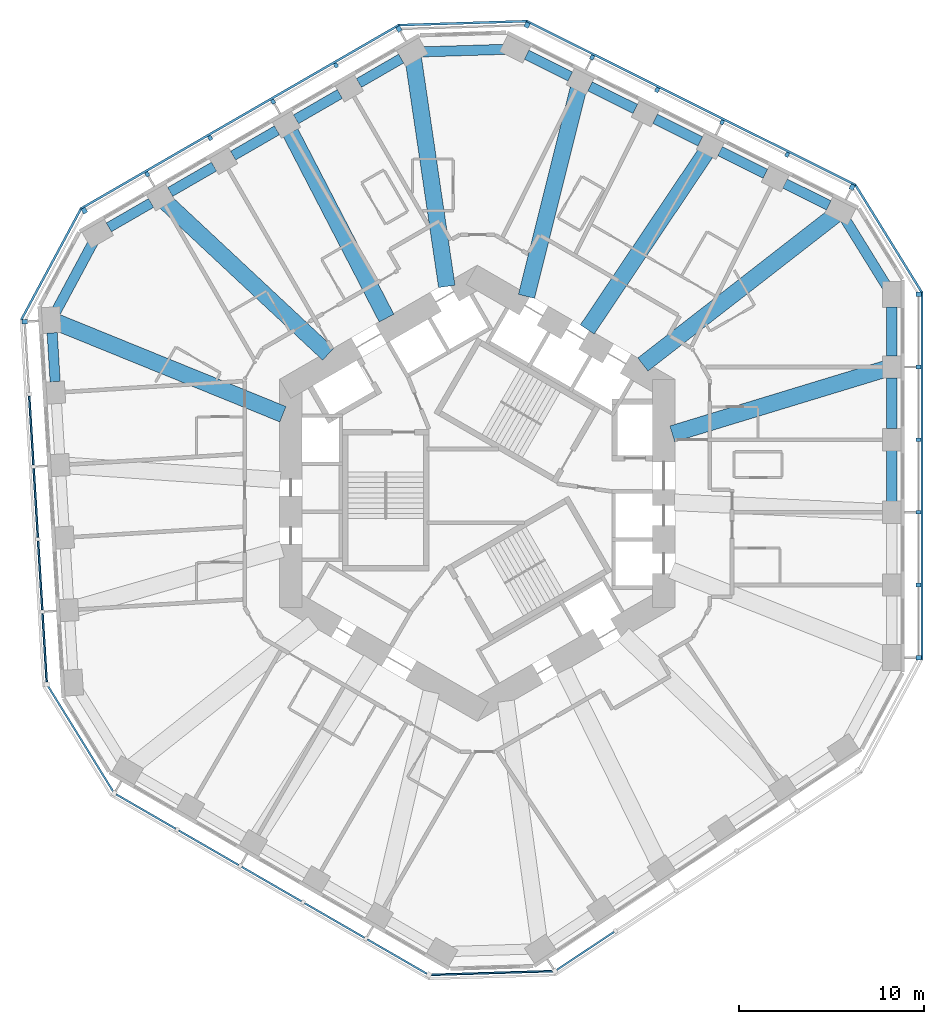
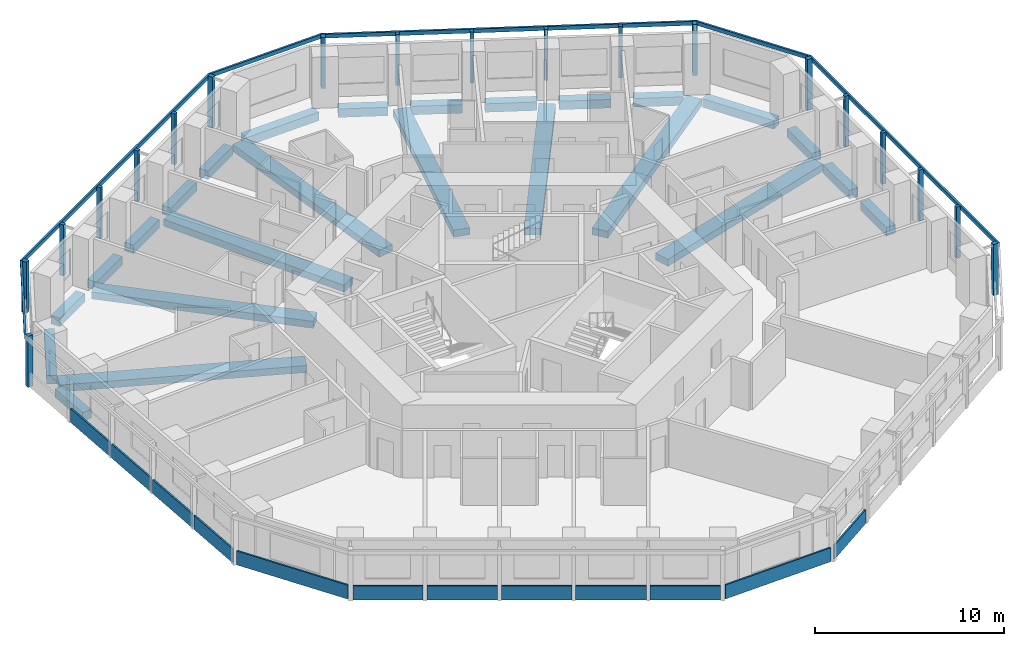
# One storey, part 2 of 12: 25 beams, 25 members, 12 plates, 11 elements without a shape of their own.
"""IFC4 building model written with IfcOpenShell, lengths in metres."""

from ifc_helpers import new_model, si_unit, direction, frame, origin, origin_2d, place, context, subcontext, project, spatial, rectangle, extrude, material, layer, layer_set, material_profile, profile_set, type_object, element, aggregate, save


model = new_model("IFC4")

# Units and contexts
model_context = context("Model", 3, precision=1e-05, world=origin(), true_north=direction((0.0, 1.0)))
body_context = subcontext(model_context, "Body", "Model", "MODEL_VIEW")
ifc_project = project(units=[si_unit("LENGTHUNIT", "METRE"), si_unit("AREAUNIT", "SQUARE_METRE"), si_unit("VOLUMEUNIT", "CUBIC_METRE"), si_unit("PLANEANGLEUNIT", "RADIAN"), si_unit("MASSUNIT", "GRAM", prefix="KILO")], contexts=[model_context])

# Site, building, storey
site_placement = place(None, origin())
site = spatial("IfcSite", under=ifc_project, at=site_placement, CompositionType="ELEMENT")
building_placement = place(site_placement, origin())
building = spatial("IfcBuilding", under=site, at=building_placement, Name="Vanh Sen Convention Tower", CompositionType="ELEMENT")
storey_placement = place(building_placement, frame((0.0, 0.0, 86.89990234375)))
storey = spatial("IfcBuildingStorey", under=building, at=storey_placement, Name="L19", CompositionType="ELEMENT", Elevation=86.89990234375)

# Curtain wall, members
ifc_material_1 = material(Name="Concrete C50/60", Category="concrete")
curtain_wall_type = type_object("IfcCurtainWallType", Name="Outer skin hotel zone", PredefinedType="NOTDEFINED", material=ifc_material_1)
curtain_wall_1_placement = place(storey_placement, origin())
curtain_wall_1 = element("IfcCurtainWall", 1, at=curtain_wall_1_placement, inside=storey, type_object=curtain_wall_type, Name="OUTER SKIN E L19", PredefinedType="NOTDEFINED")
ifc_material_profile_1 = material_profile(ifc_material_1, rectangle(XDim=0.25, YDim=0.300048828125, at=origin_2d()), Name="Outer skin precast corner fin 250 x 300")
ifc_profile_set_1 = profile_set([ifc_material_profile_1], Name="Concrete C50/60")
member_type_1 = type_object("IfcMemberType", Name="Outer skin precast corner fin 250 x 300", PredefinedType="MULLION", material=ifc_profile_set_1)
member_1_placement = place(storey_placement, frame((23.89990234375, -8.899169921875, 0.0), z_axis=(0.0, 0.0, 1.0), x_axis=(0.0, 1.0, 0.0)))
member_1 = element("IfcMember", 2, at=member_1_placement, type_object=member_type_1, Name="OUTER SKIN CORNER FIN 1 E L19", PredefinedType="MULLION", context=body_context, shape_type="SweptSolid", body=[
    extrude(rectangle(XDim=0.25, YDim=0.300048828125, at=origin_2d()), origin(), (0.0, 0.0, 1.0), 3.300048828125),
])
member_2_placement = place(storey_placement, frame((23.89990234375, 10.773681640625, 0.0), z_axis=(0.0, 0.0, 1.0), x_axis=(0.0, 1.0, 0.0)))
member_2 = element("IfcMember", 3, at=member_2_placement, type_object=member_type_1, Name="OUTER SKIN CORNER FIN 6 E L19", PredefinedType="MULLION", context=body_context, shape_type="SweptSolid", body=[
    extrude(rectangle(XDim=0.25, YDim=0.300048828125, at=origin_2d()), origin(), (0.0, 0.0, 1.0), 3.300048828125),
])

curtain_wall_2_placement = place(storey_placement, origin())
curtain_wall_2 = element("IfcCurtainWall", 4, at=curtain_wall_2_placement, inside=storey, type_object=curtain_wall_type, Name="OUTER SKIN NE L19", PredefinedType="NOTDEFINED")
member_3_placement = place(storey_placement, frame((20.305908203125, 16.581787109375, 0.0), z_axis=(0.0, 0.0, 1.0), x_axis=(-0.894934361602, 0.44619781311, 0.0)))
member_3 = element("IfcMember", 5, at=member_3_placement, type_object=member_type_1, Name="OUTER SKIN CORNER FIN 1 NE L19", PredefinedType="MULLION", context=body_context, shape_type="SweptSolid", body=[
    extrude(rectangle(XDim=0.25, YDim=0.300048828125, at=origin_2d()), origin(), (0.0, 0.0, 1.0), 3.300048828125),
])
member_4_placement = place(storey_placement, frame((2.699951171875, 25.35986328125, 0.0), z_axis=(0.0, 0.0, 1.0), x_axis=(-0.894934361602, 0.44619781311, 0.0)))
member_4 = element("IfcMember", 6, at=member_4_placement, type_object=member_type_1, Name="OUTER SKIN CORNER FIN 6 NE L19", PredefinedType="MULLION", context=body_context, shape_type="SweptSolid", body=[
    extrude(rectangle(XDim=0.25, YDim=0.300048828125, at=origin_2d()), origin(), (0.0, 0.0, 1.0), 3.300048828125),
])

curtain_wall_3_placement = place(storey_placement, origin())
curtain_wall_3 = element("IfcCurtainWall", 7, at=curtain_wall_3_placement, inside=storey, type_object=curtain_wall_type, Name="OUTER SKIN NW L19", PredefinedType="NOTDEFINED")
member_5_placement = place(storey_placement, frame((-4.242919921875, 25.147705078125, 0.0), z_axis=(0.0, 0.0, 1.0), x_axis=(-0.866025403784, -0.5, 0.0)))
member_5 = element("IfcMember", 8, at=member_5_placement, type_object=member_type_1, Name="OUTER SKIN CORNER FIN 1 NW L19", PredefinedType="MULLION", context=body_context, shape_type="SweptSolid", body=[
    extrude(rectangle(XDim=0.25, YDim=0.300048828125, at=origin_2d()), origin(), (0.0, 0.0, 1.0), 3.300048828125),
])
member_6_placement = place(storey_placement, frame((-21.2802734375, 15.31103515625, 0.0), z_axis=(0.0, 0.0, 1.0), x_axis=(-0.866025403784, -0.5, 0.0)))
member_6 = element("IfcMember", 9, at=member_6_placement, type_object=member_type_1, Name="OUTER SKIN CORNER FIN 6 NW L19", PredefinedType="MULLION", context=body_context, shape_type="SweptSolid", body=[
    extrude(rectangle(XDim=0.25, YDim=0.300048828125, at=origin_2d()), origin(), (0.0, 0.0, 1.0), 3.300048828125),
])

# Curtain wall, member
curtain_wall_4_placement = place(storey_placement, origin())
curtain_wall_4 = element("IfcCurtainWall", 10, at=curtain_wall_4_placement, inside=storey, type_object=curtain_wall_type, Name="OUTER SKIN W L19", PredefinedType="NOTDEFINED")
member_7_placement = place(storey_placement, frame((-24.51318359375, 9.294677734375, 0.0), z_axis=(0.0, 0.0, 1.0), x_axis=(0.061048539535, -0.998134798422, 0.0)))
member_7 = element("IfcMember", 11, at=member_7_placement, type_object=member_type_1, Name="OUTER SKIN CORNER FIN 1 W L19", PredefinedType="MULLION", context=body_context, shape_type="SweptSolid", body=[
    extrude(rectangle(XDim=0.25, YDim=0.300048828125, at=origin_2d()), origin(), (0.0, 0.0, 1.0), 3.300048828125),
])

# Member
ifc_material_profile_2 = material_profile(ifc_material_1, rectangle(XDim=0.199951171875, YDim=0.25, at=origin_2d()), Name="Outer skin precast fin 200 x 250")
ifc_profile_set_2 = profile_set([ifc_material_profile_2], Name="Concrete C50/60")
member_type_2 = type_object("IfcMemberType", Name="Outer skin precast fin 200 x 250", PredefinedType="MULLION", material=ifc_profile_set_2)
member_8_placement = place(storey_placement, frame((23.89990234375, -4.964599609375, 0.0), z_axis=(0.0, 0.0, 1.0), x_axis=(0.0, 1.0, 0.0)))
member_8 = element("IfcMember", 12, at=member_8_placement, type_object=member_type_2, Name="OUTER SKIN fin 2 E L19", PredefinedType="MULLION", context=body_context, shape_type="SweptSolid", body=[
    extrude(rectangle(XDim=0.199951171875, YDim=0.25, at=origin_2d()), origin(), (0.0, 0.0, 1.0), 3.300048828125),
])

member_9_placement = place(storey_placement, frame((23.89990234375, -1.030029296875, 0.0), z_axis=(0.0, 0.0, 1.0), x_axis=(0.0, 1.0, 0.0)))
member_9 = element("IfcMember", 13, at=member_9_placement, type_object=member_type_2, Name="OUTER SKIN fin 3 E L19", PredefinedType="MULLION", context=body_context, shape_type="SweptSolid", body=[
    extrude(rectangle(XDim=0.199951171875, YDim=0.25, at=origin_2d()), origin(), (0.0, 0.0, 1.0), 3.300048828125),
])

member_10_placement = place(storey_placement, frame((23.89990234375, 2.904541015625, 0.0), z_axis=(0.0, 0.0, 1.0), x_axis=(0.0, 1.0, 0.0)))
member_10 = element("IfcMember", 14, at=member_10_placement, type_object=member_type_2, Name="OUTER SKIN fin 4 E L19", PredefinedType="MULLION", context=body_context, shape_type="SweptSolid", body=[
    extrude(rectangle(XDim=0.199951171875, YDim=0.25, at=origin_2d()), origin(), (0.0, 0.0, 1.0), 3.300048828125),
])

member_11_placement = place(storey_placement, frame((23.89990234375, 6.839111328125, 0.0), z_axis=(0.0, 0.0, 1.0), x_axis=(0.0, 1.0, 0.0)))
member_11 = element("IfcMember", 15, at=member_11_placement, type_object=member_type_2, Name="OUTER SKIN fin 5 E L19", PredefinedType="MULLION", context=body_context, shape_type="SweptSolid", body=[
    extrude(rectangle(XDim=0.199951171875, YDim=0.25, at=origin_2d()), origin(), (0.0, 0.0, 1.0), 3.300048828125),
])

member_12_placement = place(storey_placement, frame((16.78466796875, 18.33740234375, 0.0), z_axis=(0.0, 0.0, 1.0), x_axis=(-0.894934361602, 0.44619781311, 0.0)))
member_12 = element("IfcMember", 16, at=member_12_placement, type_object=member_type_2, Name="OUTER SKIN fin 2 NE L19", PredefinedType="MULLION", context=body_context, shape_type="SweptSolid", body=[
    extrude(rectangle(XDim=0.199951171875, YDim=0.25, at=origin_2d()), origin(), (0.0, 0.0, 1.0), 3.300048828125),
])

member_13_placement = place(storey_placement, frame((13.263427734375, 20.093017578125, 0.0), z_axis=(0.0, 0.0, 1.0), x_axis=(-0.894934361602, 0.44619781311, 0.0)))
member_13 = element("IfcMember", 17, at=member_13_placement, type_object=member_type_2, Name="OUTER SKIN fin 3 NE L19", PredefinedType="MULLION", context=body_context, shape_type="SweptSolid", body=[
    extrude(rectangle(XDim=0.199951171875, YDim=0.25, at=origin_2d()), origin(), (0.0, 0.0, 1.0), 3.300048828125),
])

member_14_placement = place(storey_placement, frame((9.7421875, 21.8486328125, 0.0), z_axis=(0.0, 0.0, 1.0), x_axis=(-0.894934361602, 0.44619781311, 0.0)))
member_14 = element("IfcMember", 18, at=member_14_placement, type_object=member_type_2, Name="OUTER SKIN fin 4 NE L19", PredefinedType="MULLION", context=body_context, shape_type="SweptSolid", body=[
    extrude(rectangle(XDim=0.199951171875, YDim=0.25, at=origin_2d()), origin(), (0.0, 0.0, 1.0), 3.300048828125),
])

member_15_placement = place(storey_placement, frame((6.22119140625, 23.604248046875, 0.0), z_axis=(0.0, 0.0, 1.0), x_axis=(-0.894934361602, 0.44619781311, 0.0)))
member_15 = element("IfcMember", 19, at=member_15_placement, type_object=member_type_2, Name="OUTER SKIN fin 5 NE L19", PredefinedType="MULLION", context=body_context, shape_type="SweptSolid", body=[
    extrude(rectangle(XDim=0.199951171875, YDim=0.25, at=origin_2d()), origin(), (0.0, 0.0, 1.0), 3.300048828125),
])

member_16_placement = place(storey_placement, frame((-7.650390625, 23.180419921875, 0.0), z_axis=(0.0, 0.0, 1.0), x_axis=(-0.866025403784, -0.5, 0.0)))
member_16 = element("IfcMember", 20, at=member_16_placement, type_object=member_type_2, Name="OUTER SKIN fin 2 NW L19", PredefinedType="MULLION", context=body_context, shape_type="SweptSolid", body=[
    extrude(rectangle(XDim=0.199951171875, YDim=0.25, at=origin_2d()), origin(), (0.0, 0.0, 1.0), 3.300048828125),
])

member_17_placement = place(storey_placement, frame((-11.057861328125, 21.212890625, 0.0), z_axis=(0.0, 0.0, 1.0), x_axis=(-0.866025403784, -0.5, 0.0)))
member_17 = element("IfcMember", 21, at=member_17_placement, type_object=member_type_2, Name="OUTER SKIN fin 3 NW L19", PredefinedType="MULLION", context=body_context, shape_type="SweptSolid", body=[
    extrude(rectangle(XDim=0.199951171875, YDim=0.25, at=origin_2d()), origin(), (0.0, 0.0, 1.0), 3.300048828125),
])

member_18_placement = place(storey_placement, frame((-14.46533203125, 19.24560546875, 0.0), z_axis=(0.0, 0.0, 1.0), x_axis=(-0.866025403784, -0.5, 0.0)))
member_18 = element("IfcMember", 22, at=member_18_placement, type_object=member_type_2, Name="OUTER SKIN fin 4 NW L19", PredefinedType="MULLION", context=body_context, shape_type="SweptSolid", body=[
    extrude(rectangle(XDim=0.199951171875, YDim=0.25, at=origin_2d()), origin(), (0.0, 0.0, 1.0), 3.300048828125),
])

member_19_placement = place(storey_placement, frame((-17.872802734375, 17.2783203125, 0.0), z_axis=(0.0, 0.0, 1.0), x_axis=(-0.866025403784, -0.5, 0.0)))
member_19 = element("IfcMember", 23, at=member_19_placement, type_object=member_type_2, Name="OUTER SKIN fin 5 NW L19", PredefinedType="MULLION", context=body_context, shape_type="SweptSolid", body=[
    extrude(rectangle(XDim=0.199951171875, YDim=0.25, at=origin_2d()), origin(), (0.0, 0.0, 1.0), 3.300048828125),
])

ifc_material_profile_3 = material_profile(ifc_material_1, rectangle(XDim=0.1201171875, YDim=0.25, at=origin_2d()), Name="Outer skin precast spandrel band 250 x 120")
ifc_profile_set_3 = profile_set([ifc_material_profile_3], Name="Concrete C50/60")
member_type_3 = type_object("IfcMemberType", Name="Outer skin precast spandrel band 250 x 120", PredefinedType="USERDEFINED", material=ifc_profile_set_3)
member_20_placement = place(storey_placement, frame((24.0849609375, -9.024169921875, 3.175048828125), z_axis=(0.0, 1.0, 0.0), x_axis=(-1.0, 0.0, 0.0)))
member_20 = element("IfcMember", 24, at=member_20_placement, type_object=member_type_3, Name="OUTER SKIN spandrel band E L19", ObjectType="TRANSOM", PredefinedType="USERDEFINED", context=body_context, shape_type="SweptSolid", body=[
    extrude(rectangle(XDim=0.1201171875, YDim=0.25, at=origin_2d()), origin(), (0.0, 0.0, 1.0), 19.9228515625),
])

aggregate(curtain_wall_1, [member_1, member_8, member_9, member_10, member_11, member_2, member_20])

# Curtain wall, member
curtain_wall_5_placement = place(storey_placement, origin())
curtain_wall_5 = element("IfcCurtainWall", 25, at=curtain_wall_5_placement, inside=storey, type_object=curtain_wall_type, Name="OUTER SKIN CH1 L19", PredefinedType="NOTDEFINED")
member_21_placement = place(storey_placement, frame((24.07861328125, 10.88427734375, 3.175048828125), z_axis=(-0.526195864379, 0.850363400148, 0.0), x_axis=(-0.850363400148, -0.526195864379, 0.0)))
member_21 = element("IfcMember", 26, at=member_21_placement, type_object=member_type_3, Name="OUTER SKIN spandrel band CH1 L19", ObjectType="TRANSOM", PredefinedType="USERDEFINED", context=body_context, shape_type="SweptSolid", body=[
    extrude(rectangle(XDim=0.1201171875, YDim=0.25, at=origin_2d()), origin(), (0.0, 0.0, 1.0), 6.830078125),
])
aggregate(curtain_wall_5, [member_21])

# Member
member_22_placement = place(storey_placement, frame((20.500244140625, 16.69140625, 3.175048828125), z_axis=(-0.894931498167, 0.446203556227, 0.0), x_axis=(-0.446203556227, -0.894931498167, 0.0)))
member_22 = element("IfcMember", 27, at=member_22_placement, type_object=member_type_3, Name="OUTER SKIN spandrel band NE L19", ObjectType="TRANSOM", PredefinedType="USERDEFINED", context=body_context, shape_type="SweptSolid", body=[
    extrude(rectangle(XDim=0.1201171875, YDim=0.25, at=origin_2d()), origin(), (0.0, 0.0, 1.0), 19.9228515625),
])

aggregate(curtain_wall_2, [member_3, member_12, member_13, member_14, member_15, member_4, member_22])

# Curtain wall, member
curtain_wall_6_placement = place(storey_placement, origin())
curtain_wall_6 = element("IfcCurtainWall", 28, at=curtain_wall_6_placement, inside=storey, type_object=curtain_wall_type, Name="OUTER SKIN CH2 L19", PredefinedType="NOTDEFINED")
member_23_placement = place(storey_placement, frame((2.693603515625, 25.569580078125, 3.175048828125), z_axis=(-0.999533472857, -0.030542374483, 0.0), x_axis=(0.030542374483, -0.999533472857, 0.0)))
member_23 = element("IfcMember", 29, at=member_23_placement, type_object=member_type_3, Name="OUTER SKIN spandrel band CH2 L19", ObjectType="TRANSOM", PredefinedType="USERDEFINED", context=body_context, shape_type="SweptSolid", body=[
    extrude(rectangle(XDim=0.1201171875, YDim=0.25, at=origin_2d()), origin(), (0.0, 0.0, 1.0), 6.9462890625),
])
aggregate(curtain_wall_6, [member_23])

# Member
member_24_placement = place(storey_placement, frame((-4.227294921875, 25.370361328125, 3.175048828125), z_axis=(-0.866028047459, -0.499995420993, 0.0), x_axis=(0.499995420993, -0.866028047459, 0.0)))
member_24 = element("IfcMember", 30, at=member_24_placement, type_object=member_type_3, Name="OUTER SKIN spandrel band NW L19", ObjectType="TRANSOM", PredefinedType="USERDEFINED", context=body_context, shape_type="SweptSolid", body=[
    extrude(rectangle(XDim=0.1201171875, YDim=0.25, at=origin_2d()), origin(), (0.0, 0.0, 1.0), 19.923095703125),
])

aggregate(curtain_wall_3, [member_5, member_16, member_17, member_18, member_19, member_6, member_24])

# Curtain wall, member
curtain_wall_7_placement = place(storey_placement, origin())
curtain_wall_7 = element("IfcCurtainWall", 31, at=curtain_wall_7_placement, inside=storey, type_object=curtain_wall_type, Name="OUTER SKIN CH3 L19", PredefinedType="NOTDEFINED")
member_25_placement = place(storey_placement, frame((-21.46533203125, 15.410400390625, 3.175048828125), z_axis=(-0.473315186561, -0.880893145717, 0.0), x_axis=(0.880893145717, -0.473315186561, 0.0)))
member_25 = element("IfcMember", 32, at=member_25_placement, type_object=member_type_3, Name="OUTER SKIN spandrel band CH3 L19", ObjectType="TRANSOM", PredefinedType="USERDEFINED", context=body_context, shape_type="SweptSolid", body=[
    extrude(rectangle(XDim=0.1201171875, YDim=0.25, at=origin_2d()), origin(), (0.0, 0.0, 1.0), 6.829833984375),
])
aggregate(curtain_wall_7, [member_25])

# Beams
ifc_material_2 = material(Name="Concrete C50/60", Category="concrete")
ifc_material_profile_4 = material_profile(ifc_material_2, rectangle(XDim=0.89990234375, YDim=0.449951171875, at=origin_2d()), Name="RC 900X450")
ifc_profile_set_4 = profile_set([ifc_material_profile_4], Name="Concrete C50/60")
beam_type_1 = type_object("IfcBeamType", Name="Radial floor beam 900 x 450", PredefinedType="BEAM", material=ifc_profile_set_4)
beam_1_placement = place(storey_placement, frame((22.0859375, 6.728271484375, -0.474853515625), z_axis=(-0.956595291153, -0.291419712689, 0.0), x_axis=(0.291419712689, -0.956595291153, 0.0)))
element("IfcBeam", 33, at=beam_1_placement, inside=storey, type_object=beam_type_1, Name="Radial beam 03 L19", PredefinedType="BEAM", context=body_context, shape_type="SweptSolid", body=[
    extrude(rectangle(XDim=0.89990234375, YDim=0.449951171875, at=origin_2d()), origin(), (0.0, 0.0, 1.0), 12.04443359375),
])
beam_2_placement = place(storey_placement, frame((19.3955078125, 15.079345703125, -0.474853515625), z_axis=(-0.789464705625, -0.61379595842, 0.0), x_axis=(0.61379595842, -0.789464705625, 0.0)))
element("IfcBeam", 34, at=beam_2_placement, inside=storey, type_object=beam_type_1, Name="Radial beam 04 L19", PredefinedType="BEAM", context=body_context, shape_type="SweptSolid", body=[
    extrude(rectangle(XDim=0.89990234375, YDim=0.449951171875, at=origin_2d()), origin(), (0.0, 0.0, 1.0), 13.204345703125),
])
beam_3_placement = place(storey_placement, frame((12.37060546875, 18.42919921875, -0.474853515625), z_axis=(-0.557321786786, -0.830296589162, 0.0), x_axis=(0.830296589162, -0.557321786786, 0.0)))
element("IfcBeam", 35, at=beam_3_placement, inside=storey, type_object=beam_type_1, Name="Radial beam 05 L19", PredefinedType="BEAM", context=body_context, shape_type="SweptSolid", body=[
    extrude(rectangle(XDim=0.89990234375, YDim=0.449951171875, at=origin_2d()), origin(), (0.0, 0.0, 1.0), 11.507080078125),
])
beam_4_placement = place(storey_placement, frame((5.475341796875, 21.9111328125, -0.474853515625), z_axis=(-0.242431531098, -0.970168517697, 0.0), x_axis=(0.970168517697, -0.242431531098, 0.0)))
element("IfcBeam", 36, at=beam_4_placement, inside=storey, type_object=beam_type_1, Name="Radial beam 06 L19", PredefinedType="BEAM", context=body_context, shape_type="SweptSolid", body=[
    extrude(rectangle(XDim=0.89990234375, YDim=0.449951171875, at=origin_2d()), origin(), (0.0, 0.0, 1.0), 11.589111328125),
])
beam_5_placement = place(storey_placement, frame((-3.46630859375, 23.541259765625, -0.474853515625), z_axis=(0.145680012358, -0.989331761342, 0.0), x_axis=(0.989331761342, 0.145680012358, 0.0)))
element("IfcBeam", 37, at=beam_5_placement, inside=storey, type_object=beam_type_1, Name="Radial beam 07 L19", PredefinedType="BEAM", context=body_context, shape_type="SweptSolid", body=[
    extrude(rectangle(XDim=0.89990234375, YDim=0.449951171875, at=origin_2d()), origin(), (0.0, 0.0, 1.0), 12.468505859375),
])
beam_6_placement = place(storey_placement, frame((-10.114501953125, 19.53564453125, -0.474853515625), z_axis=(0.459772199707, -0.88803689359, 0.0), x_axis=(0.88803689359, 0.459772199707, 0.0)))
element("IfcBeam", 38, at=beam_6_placement, inside=storey, type_object=beam_type_1, Name="Radial beam 08 L19", PredefinedType="BEAM", context=body_context, shape_type="SweptSolid", body=[
    extrude(rectangle(XDim=0.89990234375, YDim=0.449951171875, at=origin_2d()), origin(), (0.0, 0.0, 1.0), 11.31298828125),
])
beam_7_placement = place(storey_placement, frame((-16.869873046875, 15.762939453125, -0.474853515625), z_axis=(0.730668926441, -0.68273195321, 0.0), x_axis=(0.68273195321, 0.730668926441, 0.0)))
element("IfcBeam", 39, at=beam_7_placement, inside=storey, type_object=beam_type_1, Name="Radial beam 09 L19", PredefinedType="BEAM", context=body_context, shape_type="SweptSolid", body=[
    extrude(rectangle(XDim=0.89990234375, YDim=0.449951171875, at=origin_2d()), origin(), (0.0, 0.0, 1.0), 12.044921875),
])
beam_8_placement = place(storey_placement, frame((-22.7568359375, 9.25732421875, -0.474853515625), z_axis=(0.926294416538, -0.376800549216, 0.0), x_axis=(0.376800549216, 0.926294416538, 0.0)))
element("IfcBeam", 40, at=beam_8_placement, inside=storey, type_object=beam_type_1, Name="Radial beam 10 L19", PredefinedType="BEAM", context=body_context, shape_type="SweptSolid", body=[
    extrude(rectangle(XDim=0.89990234375, YDim=0.449951171875, at=origin_2d()), origin(), (0.0, 0.0, 1.0), 13.2041015625),
])
ifc_material_profile_5 = material_profile(ifc_material_2, rectangle(XDim=0.550048828125, YDim=0.550048828125, at=origin_2d()), Name="RC 550X550")
ifc_profile_set_5 = profile_set([ifc_material_profile_5], Name="Concrete C50/60")
beam_type_2 = type_object("IfcBeamType", Name="Spandrel beam 550 x 550", PredefinedType="SPANDREL", material=ifc_profile_set_5)
for number, where, z_axis, x_axis, name in (
    (41, (22.449951171875, -0.43505859375, -0.52490234375), (0.0, 1.0, 0.0), (-1.0, 0.0, 0.0), "Spandrel beam 03 L19"),
    (42, (22.449951171875, 3.49951171875, -0.52490234375), (0.0, 1.0, 0.0), (-1.0, 0.0, 0.0), "Spandrel beam 04 L19"),
):
    element("IfcBeam", number, at=place(storey_placement, frame(where, z_axis=z_axis, x_axis=x_axis)), inside=storey, type_object=beam_type_2, Name=name, PredefinedType="SPANDREL", context=body_context, shape_type="SweptSolid", body=[
        extrude(rectangle(XDim=0.550048828125, YDim=0.550048828125, at=origin_2d()), origin(), (0.0, 0.0, 1.0), 2.74462890625),
    ])
beam_9_placement = place(storey_placement, frame((22.449951171875, 7.43408203125, -0.52490234375), z_axis=(0.0, 1.0, 0.0), x_axis=(-1.0, 0.0, 0.0)))
element("IfcBeam", 43, at=beam_9_placement, inside=storey, type_object=beam_type_2, Name="Spandrel beam 05 L19", PredefinedType="SPANDREL", context=body_context, shape_type="SweptSolid", body=[
    extrude(rectangle(XDim=0.550048828125, YDim=0.550048828125, at=origin_2d()), origin(), (0.0, 0.0, 1.0), 2.64453125),
])
beam_10_placement = place(storey_placement, frame((22.1865234375, 11.199462890625, -0.52490234375), z_axis=(-0.526204199605, 0.850358242342, 0.0), x_axis=(-0.850358242342, -0.526204199605, 0.0)))
element("IfcBeam", 44, at=beam_10_placement, inside=storey, type_object=beam_type_2, Name="Spandrel beam 06 L19", PredefinedType="SPANDREL", context=body_context, shape_type="SweptSolid", body=[
    extrude(rectangle(XDim=0.550048828125, YDim=0.550048828125, at=origin_2d()), origin(), (0.0, 0.0, 1.0), 4.302734375),
])
beam_11_placement = place(storey_placement, frame((19.036865234375, 15.59423828125, -0.52490234375), z_axis=(-0.894943581597, 0.446179320183, 0.0), x_axis=(-0.446179320183, -0.894943581597, 0.0)))
element("IfcBeam", 45, at=beam_11_placement, inside=storey, type_object=beam_type_2, Name="Spandrel beam 07 L19", PredefinedType="SPANDREL", context=body_context, shape_type="SweptSolid", body=[
    extrude(rectangle(XDim=0.550048828125, YDim=0.550048828125, at=origin_2d()), origin(), (0.0, 0.0, 1.0), 2.64453125),
])
for number, where, z_axis, x_axis, name in (
    (46, (15.605224609375, 17.30517578125, -0.52490234375), (-0.894942515368, 0.44618145881, 0.0), (-0.44618145881, -0.894942515368, 0.0), "Spandrel beam 08 L19"),
    (47, (12.083984375, 19.060791015625, -0.52490234375), (-0.894942515368, 0.44618145881, 0.0), (-0.44618145881, -0.894942515368, 0.0), "Spandrel beam 09 L19"),
):
    element("IfcBeam", number, at=place(storey_placement, frame(where, z_axis=z_axis, x_axis=x_axis)), inside=storey, type_object=beam_type_2, Name=name, PredefinedType="SPANDREL", context=body_context, shape_type="SweptSolid", body=[
        extrude(rectangle(XDim=0.550048828125, YDim=0.550048828125, at=origin_2d()), origin(), (0.0, 0.0, 1.0), 2.74462890625),
    ])
beam_12_placement = place(storey_placement, frame((8.562744140625, 20.81640625, -0.52490234375), z_axis=(-0.894924804947, 0.44621698028, 0.0), x_axis=(-0.44621698028, -0.894924804947, 0.0)))
element("IfcBeam", 48, at=beam_12_placement, inside=storey, type_object=beam_type_2, Name="Spandrel beam 10 L19", PredefinedType="SPANDREL", context=body_context, shape_type="SweptSolid", body=[
    extrude(rectangle(XDim=0.550048828125, YDim=0.550048828125, at=origin_2d()), origin(), (0.0, 0.0, 1.0), 2.744384765625),
])
beam_13_placement = place(storey_placement, frame((5.04150390625, 22.572021484375, -0.52490234375), z_axis=(-0.894943581597, 0.446179320183, 0.0), x_axis=(-0.446179320183, -0.894943581597, 0.0)))
element("IfcBeam", 49, at=beam_13_placement, inside=storey, type_object=beam_type_2, Name="Spandrel beam 11 L19", PredefinedType="SPANDREL", context=body_context, shape_type="SweptSolid", body=[
    extrude(rectangle(XDim=0.550048828125, YDim=0.550048828125, at=origin_2d()), origin(), (0.0, 0.0, 1.0), 2.64453125),
])
beam_14_placement = place(storey_placement, frame((1.513671875, 24.045654296875, -0.52490234375), z_axis=(-0.999533924707, -0.030527583592, 0.0), x_axis=(0.030527583592, -0.999533924707, 0.0)))
element("IfcBeam", 50, at=beam_14_placement, inside=storey, type_object=beam_type_2, Name="Spandrel beam 12 L19", PredefinedType="SPANDREL", context=body_context, shape_type="SweptSolid", body=[
    extrude(rectangle(XDim=0.550048828125, YDim=0.550048828125, at=origin_2d()), origin(), (0.0, 0.0, 1.0), 4.49462890625),
])
beam_15_placement = place(storey_placement, frame((-4.119873046875, 23.54443359375, -0.52490234375), z_axis=(-0.866030315638, -0.499991492324, 0.0), x_axis=(0.499991492324, -0.866030315638, 0.0)))
element("IfcBeam", 51, at=beam_15_placement, inside=storey, type_object=beam_type_2, Name="Spandrel beam 13 L19", PredefinedType="SPANDREL", context=body_context, shape_type="SweptSolid", body=[
    extrude(rectangle(XDim=0.550048828125, YDim=0.550048828125, at=origin_2d()), origin(), (0.0, 0.0, 1.0), 2.64453125),
])
beam_16_placement = place(storey_placement, frame((-7.44091796875, 21.627197265625, -0.52490234375), z_axis=(-0.866006330792, -0.500033033937, 0.0), x_axis=(0.500033033937, -0.866006330792, 0.0)))
element("IfcBeam", 52, at=beam_16_placement, inside=storey, type_object=beam_type_2, Name="Spandrel beam 14 L19", PredefinedType="SPANDREL", context=body_context, shape_type="SweptSolid", body=[
    extrude(rectangle(XDim=0.550048828125, YDim=0.550048828125, at=origin_2d()), origin(), (0.0, 0.0, 1.0), 2.744384765625),
])
for number, where, z_axis, x_axis, name in (
    (53, (-10.84814453125, 19.659912109375, -0.52490234375), (-0.866028570666, -0.499994514761, 0.0), (0.499994514761, -0.866028570666, 0.0), "Spandrel beam 15 L19"),
    (54, (-14.255615234375, 17.6923828125, -0.52490234375), (-0.866067086513, -0.499927796446, 0.0), (0.499927796446, -0.866067086513, 0.0), "Spandrel beam 16 L19"),
):
    element("IfcBeam", number, at=place(storey_placement, frame(where, z_axis=z_axis, x_axis=x_axis)), inside=storey, type_object=beam_type_2, Name=name, PredefinedType="SPANDREL", context=body_context, shape_type="SweptSolid", body=[
        extrude(rectangle(XDim=0.550048828125, YDim=0.550048828125, at=origin_2d()), origin(), (0.0, 0.0, 1.0), 2.74462890625),
    ])
beam_17_placement = place(storey_placement, frame((-17.6630859375, 15.72509765625, -0.52490234375), z_axis=(-0.866030315638, -0.499991492324, 0.0), x_axis=(0.499991492324, -0.866030315638, 0.0)))
element("IfcBeam", 55, at=beam_17_placement, inside=storey, type_object=beam_type_2, Name="Spandrel beam 17 L19", PredefinedType="SPANDREL", context=body_context, shape_type="SweptSolid", body=[
    extrude(rectangle(XDim=0.550048828125, YDim=0.550048828125, at=origin_2d()), origin(), (0.0, 0.0, 1.0), 2.64453125),
])
beam_18_placement = place(storey_placement, frame((-20.792236328125, 13.6142578125, -0.52490234375), z_axis=(-0.473348459073, -0.88087526716, 0.0), x_axis=(0.88087526716, -0.473348459073, 0.0)))
element("IfcBeam", 56, at=beam_18_placement, inside=storey, type_object=beam_type_2, Name="Spandrel beam 18 L19", PredefinedType="SPANDREL", context=body_context, shape_type="SweptSolid", body=[
    extrude(rectangle(XDim=0.550048828125, YDim=0.550048828125, at=origin_2d()), origin(), (0.0, 0.0, 1.0), 4.302490234375),
])
beam_19_placement = place(storey_placement, frame((-23.0234375, 8.689453125, -0.52490234375), z_axis=(0.061113817246, -0.998130803723, 0.0), x_axis=(0.998130803723, 0.061113817246, 0.0)))
element("IfcBeam", 57, at=beam_19_placement, inside=storey, type_object=beam_type_2, Name="Spandrel beam 19 L19", PredefinedType="SPANDREL", context=body_context, shape_type="SweptSolid", body=[
    extrude(rectangle(XDim=0.550048828125, YDim=0.550048828125, at=origin_2d()), origin(), (0.0, 0.0, 1.0), 2.64453125),
])

# Plate
ifc_layer = layer(ifc_material_1, 0.10009765625)
ifc_layer_set = layer_set([ifc_layer], Name="Concrete C50/60")
plate_type = type_object("IfcPlateType", Name="Outer skin precast screen panel 100", PredefinedType="CURTAIN_PANEL", material=ifc_layer_set)
plate_1_placement = place(storey_placement, frame((-24.15283203125, 3.40380859375, 0.000244140625), z_axis=(0.0, 0.0, 1.0), x_axis=(0.061048539535, -0.998134798422, 0.0)))
plate_1 = element("IfcPlate", 58, at=plate_1_placement, type_object=plate_type, Name="OUTER SKIN screen panel W-2", PredefinedType="CURTAIN_PANEL", context=body_context, shape_type="SweptSolid", body=[
    extrude(rectangle(XDim=3.734619140625, YDim=0.10009765625, at=origin_2d()), origin(), (0.0, 0.0, 1.0), 0.89990234375),
])

plate_2_placement = place(storey_placement, frame((-23.91259765625, -0.523681640625, 0.000244140625), z_axis=(0.0, 0.0, 1.0), x_axis=(0.061046797461, -0.99813490497, 0.0)))
plate_2 = element("IfcPlate", 59, at=plate_2_placement, type_object=plate_type, Name="OUTER SKIN screen panel W-3", PredefinedType="CURTAIN_PANEL", context=body_context, shape_type="SweptSolid", body=[
    extrude(rectangle(XDim=3.734619140625, YDim=0.10009765625, at=origin_2d()), origin(), (0.0, 0.0, 1.0), 0.89990234375),
])

plate_3_placement = place(storey_placement, frame((-23.67236328125, -4.45068359375, 0.000244140625), z_axis=(0.0, 0.0, 1.0), x_axis=(0.061048539535, -0.998134798422, 0.0)))
plate_3 = element("IfcPlate", 60, at=plate_3_placement, type_object=plate_type, Name="OUTER SKIN screen panel W-4", PredefinedType="CURTAIN_PANEL", context=body_context, shape_type="SweptSolid", body=[
    extrude(rectangle(XDim=3.734619140625, YDim=0.10009765625, at=origin_2d()), origin(), (0.0, 0.0, 1.0), 0.89990234375),
])

plate_4_placement = place(storey_placement, frame((-23.43310546875, -8.365478515625, 0.000244140625), z_axis=(0.0, 0.0, 1.0), x_axis=(0.061046797461, -0.99813490497, 0.0)))
plate_4 = element("IfcPlate", 61, at=plate_4_placement, type_object=plate_type, Name="OUTER SKIN screen panel W-5", PredefinedType="CURTAIN_PANEL", context=body_context, shape_type="SweptSolid", body=[
    extrude(rectangle(XDim=3.709716796875, YDim=0.10009765625, at=origin_2d()), origin(), (0.0, 0.0, 1.0), 0.89990234375),
])

aggregate(curtain_wall_4, [member_7, plate_1, plate_2, plate_3, plate_4])

# Curtain wall, plate
curtain_wall_8_placement = place(storey_placement, origin())
curtain_wall_8 = element("IfcCurtainWall", 62, at=curtain_wall_8_placement, inside=storey, type_object=curtain_wall_type, Name="OUTER SKIN CH4 L19", PredefinedType="NOTDEFINED")
plate_5_placement = place(storey_placement, frame((-21.484619140625, -13.295166015625, 0.000244140625), z_axis=(0.0, 0.0, 1.0), x_axis=(0.526205018755, -0.850357735448, 0.0)))
plate_5 = element("IfcPlate", 63, at=plate_5_placement, type_object=plate_type, Name="OUTER SKIN screen panel CH4-1", PredefinedType="CURTAIN_PANEL", context=body_context, shape_type="SweptSolid", body=[
    extrude(rectangle(XDim=6.6962890625, YDim=0.10009765625, at=origin_2d()), origin(), (0.0, 0.0, 1.0), 0.89990234375),
])
aggregate(curtain_wall_8, [plate_5])

# Curtain wall, plates
curtain_wall_9_placement = place(storey_placement, origin())
curtain_wall_9 = element("IfcCurtainWall", 64, at=curtain_wall_9_placement, inside=storey, type_object=curtain_wall_type, Name="OUTER SKIN SW L19", PredefinedType="NOTDEFINED")
plate_6_placement = place(storey_placement, frame((-17.9423828125, -17.23828125, 0.000244140625), z_axis=(0.0, 0.0, 1.0), x_axis=(0.866028021766, -0.499995465495, 0.0)))
plate_6 = element("IfcPlate", 65, at=plate_6_placement, type_object=plate_type, Name="OUTER SKIN screen panel SW-1", PredefinedType="CURTAIN_PANEL", context=body_context, shape_type="SweptSolid", body=[
    extrude(rectangle(XDim=3.709716796875, YDim=0.10009765625, at=origin_2d()), origin(), (0.0, 0.0, 1.0), 0.89990234375),
])
plate_7_placement = place(storey_placement, frame((-14.5458984375, -19.19921875, 0.000244140625), z_axis=(0.0, 0.0, 1.0), x_axis=(0.866032385017, -0.499987907955, 0.0)))
plate_7 = element("IfcPlate", 66, at=plate_7_placement, type_object=plate_type, Name="OUTER SKIN screen panel SW-2", PredefinedType="CURTAIN_PANEL", context=body_context, shape_type="SweptSolid", body=[
    extrude(rectangle(XDim=3.734619140625, YDim=0.10009765625, at=origin_2d()), origin(), (0.0, 0.0, 1.0), 0.89990234375),
])
plate_8_placement = place(storey_placement, frame((-11.138427734375, -21.16650390625, 0.000244140625), z_axis=(0.0, 0.0, 1.0), x_axis=(0.866028021766, -0.499995465495, 0.0)))
plate_8 = element("IfcPlate", 67, at=plate_8_placement, type_object=plate_type, Name="OUTER SKIN screen panel SW-3", PredefinedType="CURTAIN_PANEL", context=body_context, shape_type="SweptSolid", body=[
    extrude(rectangle(XDim=3.734619140625, YDim=0.10009765625, at=origin_2d()), origin(), (0.0, 0.0, 1.0), 0.89990234375),
])
plate_9_placement = place(storey_placement, frame((-7.73095703125, -23.1337890625, 0.000244140625), z_axis=(0.0, 0.0, 1.0), x_axis=(0.866028021766, -0.499995465495, 0.0)))
plate_9 = element("IfcPlate", 68, at=plate_9_placement, type_object=plate_type, Name="OUTER SKIN screen panel SW-4", PredefinedType="CURTAIN_PANEL", context=body_context, shape_type="SweptSolid", body=[
    extrude(rectangle(XDim=3.734619140625, YDim=0.10009765625, at=origin_2d()), origin(), (0.0, 0.0, 1.0), 0.89990234375),
])
plate_10_placement = place(storey_placement, frame((-4.334228515625, -25.094970703125, 0.000244140625), z_axis=(0.0, 0.0, 1.0), x_axis=(0.866021040428, -0.500007557478, 0.0)))
plate_10 = element("IfcPlate", 69, at=plate_10_placement, type_object=plate_type, Name="OUTER SKIN screen panel SW-5", PredefinedType="CURTAIN_PANEL", context=body_context, shape_type="SweptSolid", body=[
    extrude(rectangle(XDim=3.70947265625, YDim=0.10009765625, at=origin_2d()), origin(), (0.0, 0.0, 1.0), 0.89990234375),
])
aggregate(curtain_wall_9, [plate_6, plate_7, plate_8, plate_9, plate_10])

# Curtain wall, plate
curtain_wall_10_placement = place(storey_placement, origin())
curtain_wall_10 = element("IfcCurtainWall", 70, at=curtain_wall_10_placement, inside=storey, type_object=curtain_wall_type, Name="OUTER SKIN CH5 L19", PredefinedType="NOTDEFINED")
plate_11_placement = place(storey_placement, frame((0.793701171875, -25.98046875, 0.000244140625), z_axis=(0.0, 0.0, 1.0), x_axis=(0.999533484231, 0.03054200224, 0.0)))
plate_11 = element("IfcPlate", 71, at=plate_11_placement, type_object=plate_type, Name="OUTER SKIN screen panel CH5-1", PredefinedType="CURTAIN_PANEL", context=body_context, shape_type="SweptSolid", body=[
    extrude(rectangle(XDim=6.580078125, YDim=0.10009765625, at=origin_2d()), origin(), (0.0, 0.0, 1.0), 0.89990234375),
])
aggregate(curtain_wall_10, [plate_11])

curtain_wall_11_placement = place(storey_placement, origin())
curtain_wall_11 = element("IfcCurtainWall", 72, at=curtain_wall_11_placement, inside=storey, type_object=curtain_wall_type, Name="OUTER SKIN SE L19", PredefinedType="NOTDEFINED")
plate_12_placement = place(storey_placement, frame((5.858154296875, -24.783447265625, 0.000244140625), z_axis=(0.0, 0.0, 1.0), x_axis=(0.833891601892, 0.55192825285, 0.0)))
plate_12 = element("IfcPlate", 73, at=plate_12_placement, type_object=plate_type, Name="OUTER SKIN screen panel SE-1", PredefinedType="CURTAIN_PANEL", context=body_context, shape_type="SweptSolid", body=[
    extrude(rectangle(XDim=3.709716796875, YDim=0.10009765625, at=origin_2d()), origin(), (0.0, 0.0, 1.0), 0.89990234375),
])
aggregate(curtain_wall_11, [plate_12])

save(model, "model.ifc")
